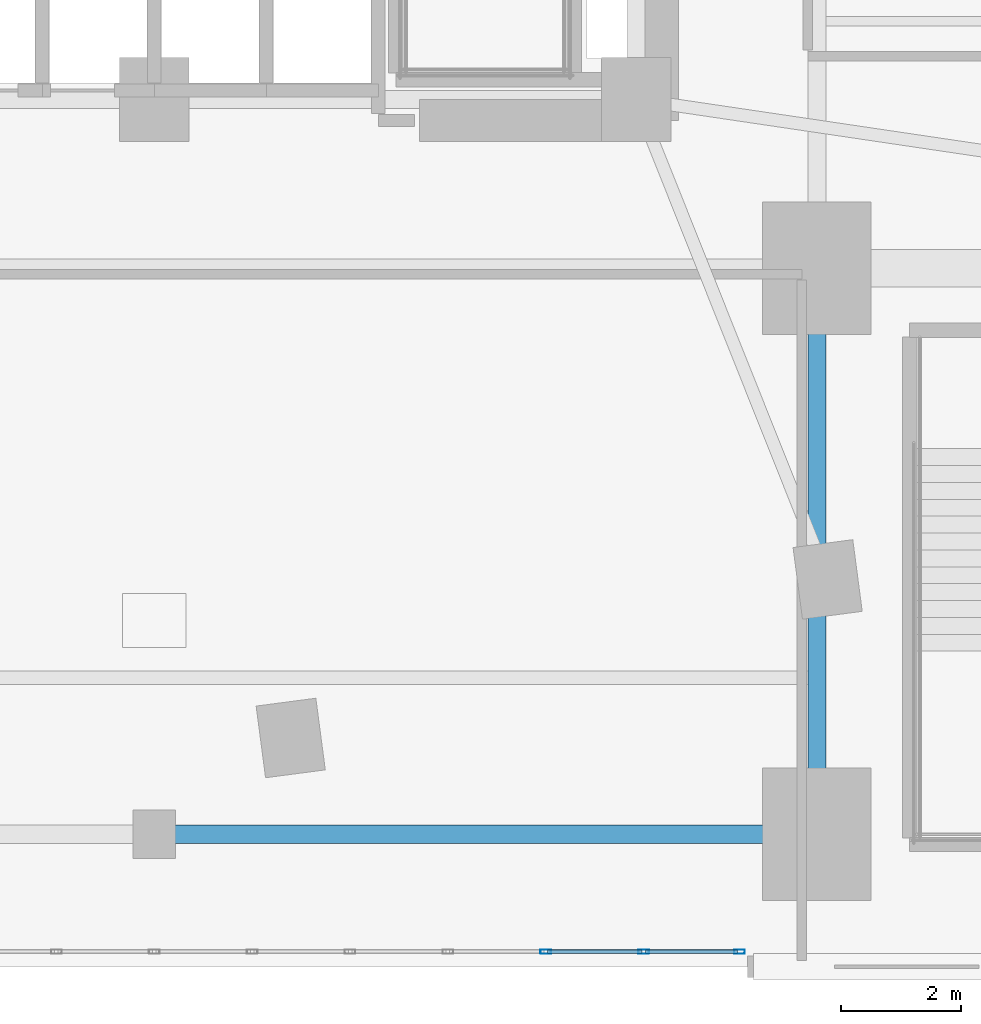
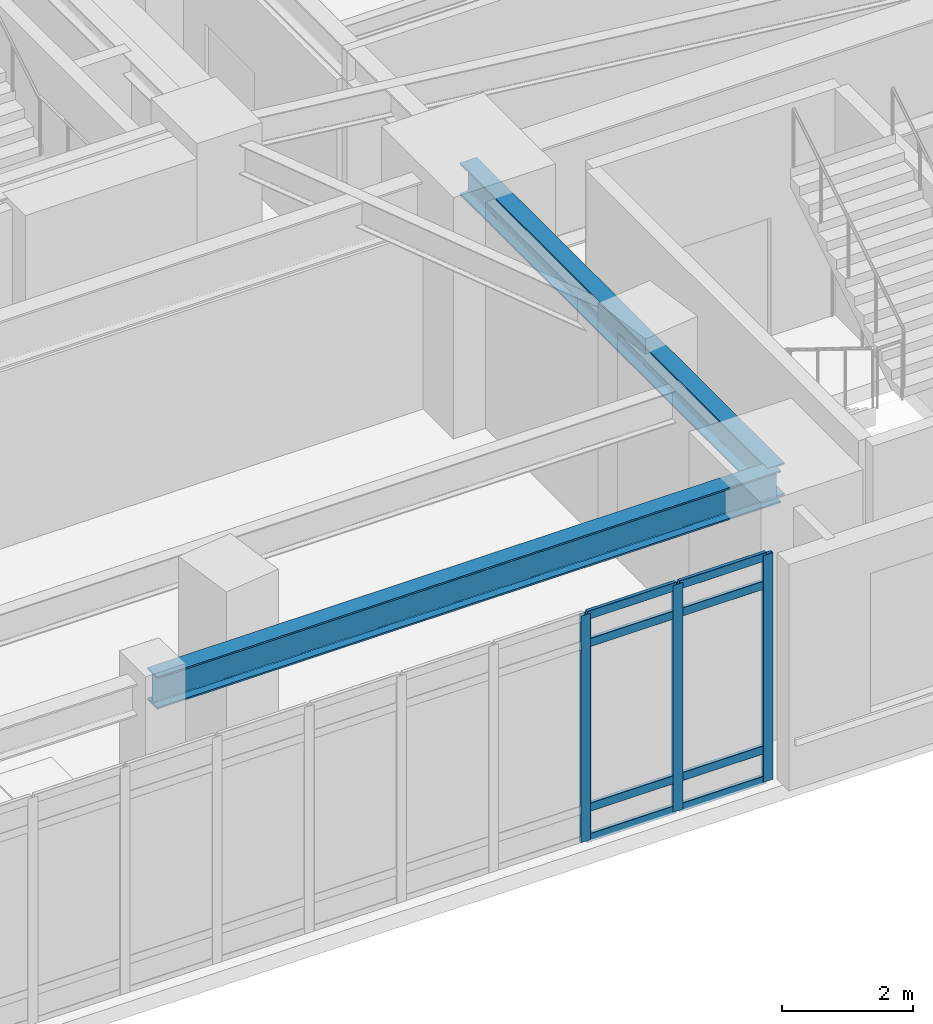
# One storey, part 6 of 19: 11 members, 2 beams, 1 element without a shape of its own.
"""IFC4 building model written with IfcOpenShell, lengths in metres."""

from ifc_helpers import new_model, si_unit, direction, frame, origin, origin_2d, place, context, subcontext, project, spatial, hollow_rectangle, i_section, extrude, material, layer, layer_set, material_profile, profile_set, type_object, element, aggregate, save


model = new_model("IFC4")

# Units and contexts
model_context = context("Model", 3, precision=1e-05, world=origin(), true_north=direction((0.0, 1.0)))
body_context = subcontext(model_context, "Body", "Model", "MODEL_VIEW")
ifc_project = project(units=[si_unit("LENGTHUNIT", "METRE"), si_unit("AREAUNIT", "SQUARE_METRE"), si_unit("VOLUMEUNIT", "CUBIC_METRE"), si_unit("PLANEANGLEUNIT", "RADIAN"), si_unit("MASSUNIT", "GRAM", prefix="KILO")], contexts=[model_context])

# Site, building, storey
site_placement = place(None, origin())
site = spatial("IfcSite", under=ifc_project, at=site_placement, CompositionType="ELEMENT")
building_placement = place(site_placement, origin())
building = spatial("IfcBuilding", under=site, at=building_placement, Name="Ndelora Gate Hotel", CompositionType="ELEMENT")
storey_placement = place(building_placement, frame((0.0, 0.0, 21.5)))
storey = spatial("IfcBuildingStorey", under=building, at=storey_placement, Name="L04", CompositionType="ELEMENT", Elevation=21.5)

# Beams
ifc_material_1 = material(Name="Steel S355", Category="steel")
ifc_material_profile_1 = material_profile(ifc_material_1, i_section(OverallWidth=0.300048828125, OverallDepth=0.60009765625, WebThickness=0.015380859375, FlangeThickness=0.030029296875, FilletRadius=0.027099609375, at=origin_2d()), Name="HEB 600")
ifc_profile_set_1 = profile_set([ifc_material_profile_1], Name="Steel S355")
beam_type = type_object("IfcBeamType", Name="BM-POD-600", PredefinedType="BEAM", material=ifc_profile_set_1)
beam_1_placement = place(storey_placement, frame((11.0, -18.800048828125, 3.919921875), z_axis=(0.0, 1.0, 0.0), x_axis=(-1.0, 0.0, 0.0)))
element("IfcBeam", 1, at=beam_1_placement, inside=storey, type_object=beam_type, Name="L04 Podium Longitudinal Girder X=+11.0", PredefinedType="BEAM", context=body_context, shape_type="SweptSolid", body=[
    extrude(i_section(OverallWidth=0.300048828125, OverallDepth=0.60009765625, WebThickness=0.015380859375, FlangeThickness=0.030029296875, FilletRadius=0.027099609375, at=origin_2d()), origin(), (0.0, 0.0, 1.0), 9.400146484375),
])
beam_2_placement = place(storey_placement, frame((0.0, -18.800048828125, 3.919921875), z_axis=(1.0, 0.0, 0.0), x_axis=(0.0, 1.0, 0.0)))
element("IfcBeam", 2, at=beam_2_placement, inside=storey, type_object=beam_type, Name="L04 Podium Transverse Girder Y=-18.8", PredefinedType="BEAM", context=body_context, shape_type="SweptSolid", body=[
    extrude(i_section(OverallWidth=0.300048828125, OverallDepth=0.60009765625, WebThickness=0.015380859375, FlangeThickness=0.030029296875, FilletRadius=0.027099609375, at=origin_2d()), origin(), (0.0, 0.0, 1.0), 11.0),
])

# Curtain wall, members
ifc_material_2 = material(Name="Bronze Anodised Unitised Aluminium and Low-E Glass", Category="aluminium")
ifc_layer = layer(ifc_material_2, 0.219970703125)
ifc_layer_set = layer_set([ifc_layer], Name="Bronze Anodised Unitised Aluminium and Low-E Glass")
curtain_wall_type = type_object("IfcCurtainWallType", Name="CW-SYS-2", PredefinedType="NOTDEFINED", material=ifc_layer_set)
curtain_wall_placement = place(storey_placement, origin())
curtain_wall = element("IfcCurtainWall", 3, at=curtain_wall_placement, inside=storey, type_object=curtain_wall_type, Name="L04 South Podium Foyer Curtain Wall CW2", PredefinedType="NOTDEFINED")
ifc_material_3 = material(Name="Bronze Anodised Aluminium 6063-T6", Category="aluminium")
ifc_material_profile_2 = material_profile(ifc_material_3, hollow_rectangle(XDim=0.070068359375, YDim=0.179931640625, WallThickness=0.0048828125, InnerFilletRadius=0.0048828125, OuterFilletRadius=0.010009765625, at=origin_2d()), Name="ALU 180x70x5")
ifc_profile_set_2 = profile_set([ifc_material_profile_2], Name="Bronze Anodised Aluminium 6063-T6")
member_type_1 = type_object("IfcMemberType", Name="MB-CW-MUL180", PredefinedType="MULLION", material=ifc_profile_set_2)
member_1_placement = place(storey_placement, frame((6.5, -20.75, -0.00390625), z_axis=(0.0, 0.0, 1.0), x_axis=(0.0, 1.0, 0.0)))
member_1 = element("IfcMember", 4, at=member_1_placement, type_object=member_type_1, Name="CW2 mullion 11", PredefinedType="MULLION", context=body_context, shape_type="SweptSolid", body=[
    extrude(hollow_rectangle(XDim=0.070068359375, YDim=0.179931640625, WallThickness=0.0048828125, InnerFilletRadius=0.0048828125, OuterFilletRadius=0.010009765625, at=origin_2d()), origin(), (0.0, 0.0, 1.0), 4.22802734375),
])
member_2_placement = place(storey_placement, frame((8.125, -20.75, -0.00390625), z_axis=(0.0, 0.0, 1.0), x_axis=(0.0, 1.0, 0.0)))
member_2 = element("IfcMember", 5, at=member_2_placement, type_object=member_type_1, Name="CW2 mullion 12", PredefinedType="MULLION", context=body_context, shape_type="SweptSolid", body=[
    extrude(hollow_rectangle(XDim=0.070068359375, YDim=0.179931640625, WallThickness=0.0048828125, InnerFilletRadius=0.0048828125, OuterFilletRadius=0.010009765625, at=origin_2d()), origin(), (0.0, 0.0, 1.0), 4.22802734375),
])
member_3_placement = place(storey_placement, frame((9.715087890625, -20.75, -0.00390625), z_axis=(0.0, 0.0, 1.0), x_axis=(0.0, 1.0, 0.0)))
member_3 = element("IfcMember", 6, at=member_3_placement, type_object=member_type_1, Name="CW2 mullion 13", PredefinedType="MULLION", context=body_context, shape_type="SweptSolid", body=[
    extrude(hollow_rectangle(XDim=0.070068359375, YDim=0.179931640625, WallThickness=0.0048828125, InnerFilletRadius=0.0048828125, OuterFilletRadius=0.010009765625, at=origin_2d()), origin(), (0.0, 0.0, 1.0), 4.22802734375),
])
ifc_material_profile_3 = material_profile(ifc_material_3, hollow_rectangle(XDim=0.06494140625, YDim=0.159912109375, WallThickness=0.00390625, InnerFilletRadius=0.00390625, OuterFilletRadius=0.008056640625, at=origin_2d()), Name="ALU 160x65x4")
ifc_profile_set_3 = profile_set([ifc_material_profile_3], Name="Bronze Anodised Aluminium 6063-T6")
member_type_2 = type_object("IfcMemberType", Name="MB-CW-TRN150", PredefinedType="USERDEFINED", material=ifc_profile_set_3)
member_4_placement = place(storey_placement, frame((6.529052734375, -20.75, 0.032470703125), z_axis=(1.0, 0.0, 0.0), x_axis=(0.0, 1.0, 0.0)))
member_4 = element("IfcMember", 7, at=member_4_placement, type_object=member_type_2, Name="CW2 transom 11.1", ObjectType="TRANSOM", PredefinedType="USERDEFINED", context=body_context, shape_type="SweptSolid", body=[
    extrude(hollow_rectangle(XDim=0.06494140625, YDim=0.159912109375, WallThickness=0.00390625, InnerFilletRadius=0.00390625, OuterFilletRadius=0.008056640625, at=origin_2d()), origin(), (0.0, 0.0, 1.0), 1.56689453125),
])
member_5_placement = place(storey_placement, frame((6.529052734375, -20.75, 0.60009765625), z_axis=(1.0, 0.0, 0.0), x_axis=(0.0, 1.0, 0.0)))
member_5 = element("IfcMember", 8, at=member_5_placement, type_object=member_type_2, Name="CW2 transom 11.2", ObjectType="TRANSOM", PredefinedType="USERDEFINED", context=body_context, shape_type="SweptSolid", body=[
    extrude(hollow_rectangle(XDim=0.06494140625, YDim=0.159912109375, WallThickness=0.00390625, InnerFilletRadius=0.00390625, OuterFilletRadius=0.008056640625, at=origin_2d()), origin(), (0.0, 0.0, 1.0), 1.56689453125),
])
member_6_placement = place(storey_placement, frame((6.529052734375, -20.75, 3.669921875), z_axis=(1.0, 0.0, 0.0), x_axis=(0.0, 1.0, 0.0)))
member_6 = element("IfcMember", 9, at=member_6_placement, type_object=member_type_2, Name="CW2 transom 11.3", ObjectType="TRANSOM", PredefinedType="USERDEFINED", context=body_context, shape_type="SweptSolid", body=[
    extrude(hollow_rectangle(XDim=0.06494140625, YDim=0.159912109375, WallThickness=0.00390625, InnerFilletRadius=0.00390625, OuterFilletRadius=0.008056640625, at=origin_2d()), origin(), (0.0, 0.0, 1.0), 1.56689453125),
])
member_7_placement = place(storey_placement, frame((6.529052734375, -20.75, 4.1875), z_axis=(1.0, 0.0, 0.0), x_axis=(0.0, 1.0, 0.0)))
member_7 = element("IfcMember", 10, at=member_7_placement, type_object=member_type_2, Name="CW2 transom 11.4", ObjectType="TRANSOM", PredefinedType="USERDEFINED", context=body_context, shape_type="SweptSolid", body=[
    extrude(hollow_rectangle(XDim=0.06494140625, YDim=0.159912109375, WallThickness=0.00390625, InnerFilletRadius=0.00390625, OuterFilletRadius=0.008056640625, at=origin_2d()), origin(), (0.0, 0.0, 1.0), 1.56689453125),
])
member_8_placement = place(storey_placement, frame((8.154052734375, -20.75, 0.032470703125), z_axis=(1.0, 0.0, 0.0), x_axis=(0.0, 1.0, 0.0)))
member_8 = element("IfcMember", 11, at=member_8_placement, type_object=member_type_2, Name="CW2 transom 12.1", ObjectType="TRANSOM", PredefinedType="USERDEFINED", context=body_context, shape_type="SweptSolid", body=[
    extrude(hollow_rectangle(XDim=0.06494140625, YDim=0.159912109375, WallThickness=0.00390625, InnerFilletRadius=0.00390625, OuterFilletRadius=0.008056640625, at=origin_2d()), origin(), (0.0, 0.0, 1.0), 1.531982421875),
])
member_9_placement = place(storey_placement, frame((8.154052734375, -20.75, 0.60009765625), z_axis=(1.0, 0.0, 0.0), x_axis=(0.0, 1.0, 0.0)))
member_9 = element("IfcMember", 12, at=member_9_placement, type_object=member_type_2, Name="CW2 transom 12.2", ObjectType="TRANSOM", PredefinedType="USERDEFINED", context=body_context, shape_type="SweptSolid", body=[
    extrude(hollow_rectangle(XDim=0.06494140625, YDim=0.159912109375, WallThickness=0.00390625, InnerFilletRadius=0.00390625, OuterFilletRadius=0.008056640625, at=origin_2d()), origin(), (0.0, 0.0, 1.0), 1.531982421875),
])
member_10_placement = place(storey_placement, frame((8.154052734375, -20.75, 3.669921875), z_axis=(1.0, 0.0, 0.0), x_axis=(0.0, 1.0, 0.0)))
member_10 = element("IfcMember", 13, at=member_10_placement, type_object=member_type_2, Name="CW2 transom 12.3", ObjectType="TRANSOM", PredefinedType="USERDEFINED", context=body_context, shape_type="SweptSolid", body=[
    extrude(hollow_rectangle(XDim=0.06494140625, YDim=0.159912109375, WallThickness=0.00390625, InnerFilletRadius=0.00390625, OuterFilletRadius=0.008056640625, at=origin_2d()), origin(), (0.0, 0.0, 1.0), 1.531982421875),
])
member_11_placement = place(storey_placement, frame((8.154052734375, -20.75, 4.1875), z_axis=(1.0, 0.0, 0.0), x_axis=(0.0, 1.0, 0.0)))
member_11 = element("IfcMember", 14, at=member_11_placement, type_object=member_type_2, Name="CW2 transom 12.4", ObjectType="TRANSOM", PredefinedType="USERDEFINED", context=body_context, shape_type="SweptSolid", body=[
    extrude(hollow_rectangle(XDim=0.06494140625, YDim=0.159912109375, WallThickness=0.00390625, InnerFilletRadius=0.00390625, OuterFilletRadius=0.008056640625, at=origin_2d()), origin(), (0.0, 0.0, 1.0), 1.531982421875),
])
aggregate(curtain_wall, [member_1, member_2, member_3, member_4, member_5, member_6, member_7, member_8, member_9, member_10, member_11])

save(model, "model.ifc")
